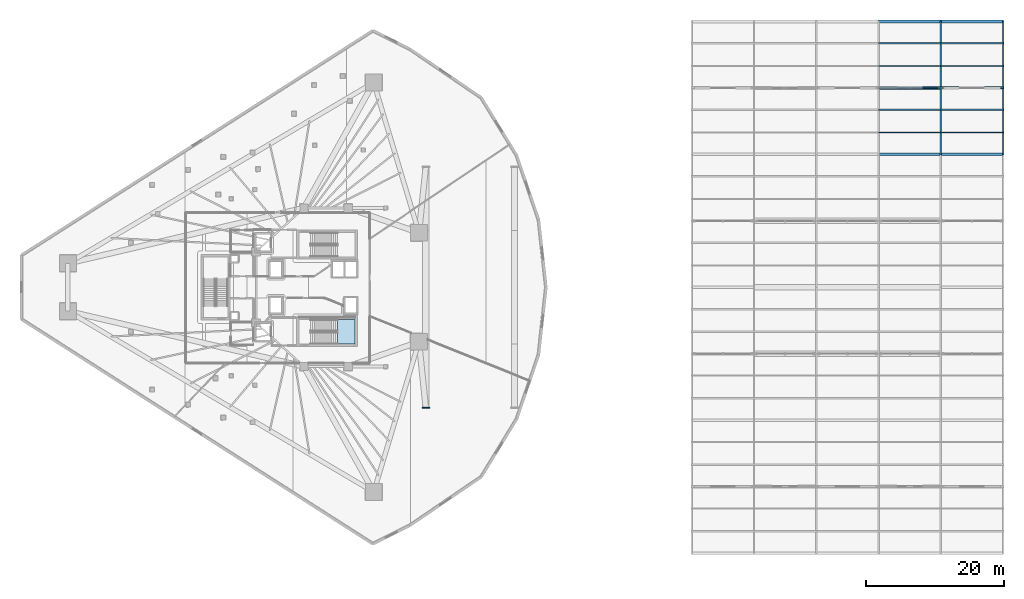
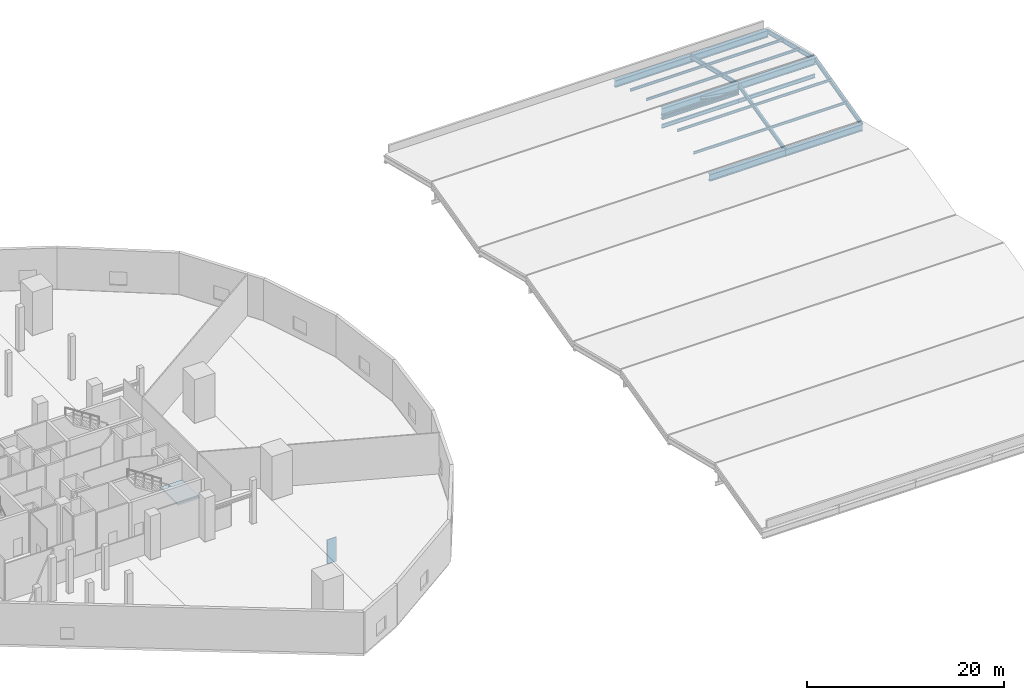
# One storey, part 18 of 36: 14 members, 8 beams, 1 plate, 1 slab, 1 element without a shape of its own.
"""IFC4 building model written with IfcOpenShell, lengths in metres."""

from ifc_helpers import new_model, si_unit, direction, frame, origin, origin_2d, place, context, subcontext, project, spatial, polyline, rectangle, hollow_circle, i_section, outline, extrude, material, layer, layer_set, material_profile, profile_set, type_object, element, aggregate, save


model = new_model("IFC4")

# Units and contexts
model_context = context("Model", 3, precision=1e-05, world=origin(), true_north=direction((0.0, 1.0)))
body_context = subcontext(model_context, "Body", "Model", "MODEL_VIEW")
ifc_project = project(units=[si_unit("LENGTHUNIT", "METRE"), si_unit("AREAUNIT", "SQUARE_METRE"), si_unit("VOLUMEUNIT", "CUBIC_METRE"), si_unit("PLANEANGLEUNIT", "RADIAN"), si_unit("MASSUNIT", "GRAM", prefix="KILO")], contexts=[model_context])

# Site, building, storey
site_placement = place(None, origin())
site = spatial("IfcSite", under=ifc_project, at=site_placement, CompositionType="ELEMENT")
building_placement = place(site_placement, origin())
building = spatial("IfcBuilding", under=site, at=building_placement, Name="Qorvath Tower", CompositionType="ELEMENT")
storey_placement = place(building_placement, frame((0.0, 0.0, 27.0)))
storey = spatial("IfcBuildingStorey", under=building, at=storey_placement, Name="L05", CompositionType="ELEMENT", Elevation=27.0)

# Beams
ifc_material_1 = material(Name="Steel ASTM A992 Grade 50", Category="steel")
ifc_material_profile_1 = material_profile(ifc_material_1, i_section(OverallWidth=0.39892578125, OverallDepth=0.85498046875, WebThickness=0.018310546875, FlangeThickness=0.029296875, FilletRadius=0.02001953125, at=origin_2d()), Name="W33x201")
ifc_profile_set_1 = profile_set([ifc_material_profile_1], Name="Steel ASTM A992 Grade 50")
beam_type_1 = type_object("IfcBeamType", Name="BM-FG2", PredefinedType="BEAM", material=ifc_profile_set_1)
for number, where, z_axis, x_axis, name in (
    (1, (59.39990234375, 19.199951171875, -0.7275390625), (1.0, 0.0, 0.0), (0.0, 1.0, 0.0), "Library Roof Fold Line Girder 7-4"),
    (2, (68.39990234375, 19.199951171875, -0.7275390625), (1.0, 0.0, 0.0), (0.0, 1.0, 0.0), "Library Roof Fold Line Girder 7-5"),
    (3, (59.39990234375, 28.800048828125, 1.666015625), (1.0, 0.0, 0.0), (0.0, 1.0, 0.0), "Library Roof Fold Line Girder 8-4"),
    (4, (68.39990234375, 28.800048828125, 1.666015625), (1.0, 0.0, 0.0), (0.0, 1.0, 0.0), "Library Roof Fold Line Girder 8-5"),
    (5, (59.39990234375, 38.39990234375, -0.7275390625), (1.0, 0.0, 0.0), (0.0, 1.0, 0.0), "Library Roof Fold Line Girder 9-4"),
    (6, (68.39990234375, 38.39990234375, -0.7275390625), (1.0, 0.0, 0.0), (0.0, 1.0, 0.0), "Library Roof Fold Line Girder 9-5"),
):
    element("IfcBeam", number, at=place(storey_placement, frame(where, z_axis=z_axis, x_axis=x_axis)), inside=storey, type_object=beam_type_1, Name=name, PredefinedType="BEAM", context=body_context, shape_type="SweptSolid", body=[
        extrude(i_section(OverallWidth=0.39892578125, OverallDepth=0.85498046875, WebThickness=0.018310546875, FlangeThickness=0.029296875, FilletRadius=0.02001953125, at=origin_2d()), origin(), (0.0, 0.0, 1.0), 9.0),
    ])
ifc_material_2 = material(Name="Steel ASTM A992 Grade 50", Category="steel")
ifc_material_profile_2 = material_profile(ifc_material_2, i_section(OverallWidth=0.18994140625, OverallDepth=0.45703125, WebThickness=0.009033203125, FlangeThickness=0.014404296875, FilletRadius=0.011962890625, at=origin_2d()), Name="W18x50")
ifc_profile_set_2 = profile_set([ifc_material_profile_2], Name="Steel ASTM A992 Grade 50")
beam_type_2 = type_object("IfcBeamType", Name="BM-FJ2", PredefinedType="JOIST", material=ifc_profile_set_2)
for number, where, z_axis, x_axis, name in (
    (7, (59.39990234375, 28.800048828125, -0.228515625), (1.0, 0.0, 0.0), (0.0, 1.0, 0.0), "Library Clerestory Monitor Sill Beam 8-4"),
    (8, (68.39990234375, 28.800048828125, -0.228515625), (1.0, 0.0, 0.0), (0.0, 1.0, 0.0), "Library Clerestory Monitor Sill Beam 8-5"),
):
    element("IfcBeam", number, at=place(storey_placement, frame(where, z_axis=z_axis, x_axis=x_axis)), inside=storey, type_object=beam_type_2, Name=name, PredefinedType="JOIST", context=body_context, shape_type="SweptSolid", body=[
        extrude(i_section(OverallWidth=0.18994140625, OverallDepth=0.45703125, WebThickness=0.009033203125, FlangeThickness=0.014404296875, FilletRadius=0.011962890625, at=origin_2d()), origin(), (0.0, 0.0, 1.0), 9.0),
    ])

# Members
ifc_material_3 = material(Name="Steel ASTM A913 Grade 65", Category="steel")
ifc_material_profile_3 = material_profile(ifc_material_3, i_section(OverallWidth=0.4189453125, OverallDepth=0.455078125, WebThickness=0.0419921875, FlangeThickness=0.067626953125, FilletRadius=0.02490234375, at=origin_2d()), Name="W14x370")
ifc_profile_set_3 = profile_set([ifc_material_profile_3], Name="Steel ASTM A913 Grade 65")
member_type_1 = type_object("IfcMemberType", Name="MEM-OT2", PredefinedType="CHORD", material=ifc_profile_set_3)
member_1_placement = place(storey_placement, frame((59.39990234375, 28.800048828125, 0.8935546875), z_axis=(1.0, 0.0, 0.0), x_axis=(0.0, 1.0, 0.0)))
element("IfcMember", 9, at=member_1_placement, inside=storey, type_object=member_type_1, Name="Library Roof Truss Tie Chord 8-3", PredefinedType="CHORD", context=body_context, shape_type="SweptSolid", body=[
    extrude(i_section(OverallWidth=0.4189453125, OverallDepth=0.455078125, WebThickness=0.0419921875, FlangeThickness=0.067626953125, FilletRadius=0.02490234375, at=origin_2d()), origin(), (0.0, 0.0, 1.0), 9.0),
])
ifc_material_4 = material(Name="Steel ASTM A992 Grade 50", Category="steel")
ifc_material_profile_4 = material_profile(ifc_material_4, i_section(OverallWidth=0.1650390625, OverallDepth=0.31005859375, WebThickness=0.005859375, FlangeThickness=0.009765625, FilletRadius=0.010009765625, at=origin_2d()), Name="W12x26")
ifc_profile_set_4 = profile_set([ifc_material_profile_4], Name="Steel ASTM A992 Grade 50")
member_type_2 = type_object("IfcMemberType", Name="MEM-PR1", PredefinedType="PURLIN", material=ifc_profile_set_4)
for number, where, z_axis, x_axis, name in (
    (10, (59.39990234375, 22.367919921875, 0.357177734375), (1.0, 0.0, 0.0), (0.0, 1.0, 0.0), "Library Folded Roof Purlin F7-P1-4"),
    (11, (68.39990234375, 22.367919921875, 0.357177734375), (1.0, 0.0, 0.0), (0.0, 1.0, 0.0), "Library Folded Roof Purlin F7-P1-5"),
    (12, (59.39990234375, 25.632080078125, 1.1708984375), (1.0, 0.0, 0.0), (0.0, 1.0, 0.0), "Library Folded Roof Purlin F7-P2-4"),
    (13, (68.39990234375, 25.632080078125, 1.1708984375), (1.0, 0.0, 0.0), (0.0, 1.0, 0.0), "Library Folded Roof Purlin F7-P2-5"),
    (14, (59.39990234375, 31.968017578125, 1.1708984375), (1.0, 0.0, 0.0), (0.0, 1.0, 0.0), "Library Folded Roof Purlin F8-P1-4"),
    (15, (68.39990234375, 31.968017578125, 1.1708984375), (1.0, 0.0, 0.0), (0.0, 1.0, 0.0), "Library Folded Roof Purlin F8-P1-5"),
    (16, (59.39990234375, 35.23193359375, 0.357177734375), (1.0, 0.0, 0.0), (0.0, 1.0, 0.0), "Library Folded Roof Purlin F8-P2-4"),
    (17, (68.39990234375, 35.23193359375, 0.357177734375), (1.0, 0.0, 0.0), (0.0, 1.0, 0.0), "Library Folded Roof Purlin F8-P2-5"),
):
    element("IfcMember", number, at=place(storey_placement, frame(where, z_axis=z_axis, x_axis=x_axis)), inside=storey, type_object=member_type_2, Name=name, PredefinedType="PURLIN", context=body_context, shape_type="SweptSolid", body=[
        extrude(i_section(OverallWidth=0.1650390625, OverallDepth=0.31005859375, WebThickness=0.005859375, FlangeThickness=0.009765625, FilletRadius=0.010009765625, at=origin_2d()), origin(), (0.0, 0.0, 1.0), 9.0),
    ])
ifc_material_5 = material(Name="Steel ASTM A992 Grade 50", Category="steel")
ifc_material_profile_5 = material_profile(ifc_material_5, i_section(OverallWidth=0.208984375, OverallDepth=0.532958984375, WebThickness=0.01025390625, FlangeThickness=0.015625, FilletRadius=0.013916015625, at=origin_2d()), Name="W21x62")
ifc_profile_set_5 = profile_set([ifc_material_profile_5], Name="Steel ASTM A992 Grade 50")
member_type_3 = type_object("IfcMemberType", Name="MEM-RF1", PredefinedType="RAFTER", material=ifc_profile_set_5)
for number, where, z_axis, x_axis, name in (
    (18, (68.39990234375, 19.199951171875, -0.564208984375), (0.0, 0.970296164909, 0.24192013633), (-1.0, 0.0, 0.0), "Library Folded Roof Rafter F7-5"),
    (19, (77.39990234375, 19.199951171875, -0.564208984375), (0.0, 0.970296164909, 0.24192013633), (-1.0, 0.0, 0.0), "Library Folded Roof Rafter F7-6"),
):
    element("IfcMember", number, at=place(storey_placement, frame(where, z_axis=z_axis, x_axis=x_axis)), inside=storey, type_object=member_type_3, Name=name, PredefinedType="RAFTER", context=body_context, shape_type="SweptSolid", body=[
        extrude(i_section(OverallWidth=0.208984375, OverallDepth=0.532958984375, WebThickness=0.01025390625, FlangeThickness=0.015625, FilletRadius=0.013916015625, at=origin_2d()), origin(), (0.0, 0.0, 1.0), 9.89404296875),
    ])
for number, where, z_axis, x_axis, name in (
    (20, (68.39990234375, 28.800048828125, 1.829345703125), (0.0, 0.970294720706, -0.241925928684), (-1.0, 0.0, 0.0), "Library Folded Roof Rafter F8-5"),
    (21, (77.39990234375, 28.800048828125, 1.829345703125), (0.0, 0.970294720706, -0.241925928684), (-1.0, 0.0, 0.0), "Library Folded Roof Rafter F8-6"),
):
    element("IfcMember", number, at=place(storey_placement, frame(where, z_axis=z_axis, x_axis=x_axis)), inside=storey, type_object=member_type_3, Name=name, PredefinedType="RAFTER", context=body_context, shape_type="SweptSolid", body=[
        extrude(i_section(OverallWidth=0.208984375, OverallDepth=0.532958984375, WebThickness=0.01025390625, FlangeThickness=0.015625, FilletRadius=0.013916015625, at=origin_2d()), origin(), (0.0, 0.0, 1.0), 9.893798828125),
    ])
ifc_material_6 = material(Name="Steel ASTM A500 Grade C", Category="steel")
ifc_material_profile_6 = material_profile(ifc_material_6, hollow_circle(Radius=0.161865234375, WallThickness=0.0126953125, at=origin_2d()), Name="CHS 324x12.7")
ifc_profile_set_6 = profile_set([ifc_material_profile_6], Name="Steel ASTM A500 Grade C")
member_type_4 = type_object("IfcMemberType", Name="MEM-ST1", PredefinedType="STRUT", material=ifc_profile_set_6)
member_2_placement = place(storey_placement, frame((68.39990234375, 28.800048828125, 0.8935546875), z_axis=(-0.985673607445, 0.0, 0.16866398426), x_axis=(0.0, -1.0, 0.0)))
element("IfcMember", 22, at=member_2_placement, inside=storey, type_object=member_type_4, Name="Library Roof Truss Web 8-3B", PredefinedType="STRUT", context=body_context, shape_type="SweptSolid", body=[
    extrude(hollow_circle(Radius=0.161865234375, WallThickness=0.0126953125, at=origin_2d()), origin(), (0.0, 0.0, 1.0), 4.5654296875),
])

# Plate
ifc_material_7 = material(Name="Steel ASTM A572 Grade 42", Category="steel")
ifc_layer_1 = layer(ifc_material_7, 0.1201171875)
ifc_layer_set_1 = layer_set([ifc_layer_1], Name="PL-TG1")
plate_type = type_object("IfcPlateType", Name="PL-TG1", PredefinedType="SHEET", material=ifc_layer_set_1)
plate_placement = place(storey_placement, frame((-6.0, -17.39990234375, -3.419921875), z_axis=(0.0, 0.0, 1.0), x_axis=(1.0, 0.0, 0.0)))
element("IfcPlate", 23, at=plate_placement, inside=storey, type_object=plate_type, Name="L05 Transfer Girder Bearing Plate INNER", PredefinedType="SHEET", context=body_context, shape_type="SweptSolid", body=[
    extrude(rectangle(XDim=1.10009765625, YDim=0.1201171875, at=origin_2d()), origin(), (0.0, 0.0, 1.0), 3.0),
])

# Stair, slab
ifc_material_8 = material(Name="Concrete C50/60", Category="concrete")
stair_type = type_object("IfcStairType", Name="ST-H540", PredefinedType="HALF_TURN_STAIR", material=ifc_material_8)
stair_placement = place(storey_placement, origin())
stair = element("IfcStair", 24, at=stair_placement, inside=storey, type_object=stair_type, Name="L05 Tower Exit Stair 2", PredefinedType="HALF_TURN_STAIR")
ifc_material_9 = material(Name="Concrete C50/60", Category="concrete")
ifc_layer_2 = layer(ifc_material_9, 0.199951171875)
ifc_layer_set_2 = layer_set([ifc_layer_2], Name="SL-LND-200")
slab_type = type_object("IfcSlabType", Name="SL-LND-200", PredefinedType="LANDING", material=ifc_layer_set_2)
slab_placement = place(storey_placement, frame((0.0, 0.0, 2.5)))
slab = element("IfcSlab", 25, at=slab_placement, type_object=slab_type, Name="TS2 landing 1", PredefinedType="LANDING", context=body_context, shape_type="SweptSolid", body=[
    extrude(outline(polyline([(-18.75, -8.199951171875), (-16.199951171875, -8.199951171875), (-16.199951171875, -4.68994140625), (-18.75, -4.68994140625), (-18.75, -8.199951171875)])), origin(), (0.0, 0.0, 1.0), 0.199951171875),
])
aggregate(stair, [slab])

save(model, "model.ifc")
